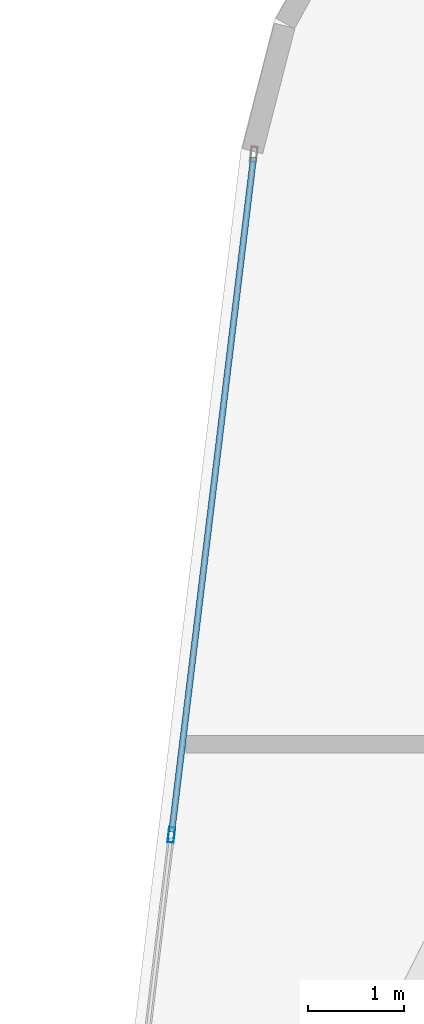
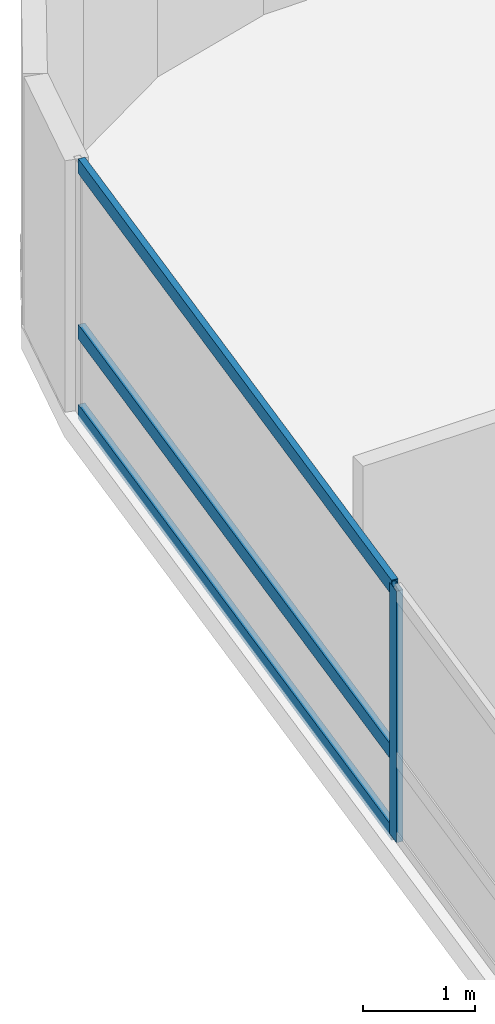
# One storey, part 10 of 26: 4 members, 1 element without a shape of its own.
"""IFC4 building model written with IfcOpenShell, lengths in metres."""

from ifc_helpers import new_model, si_unit, direction, frame, origin, origin_2d, place, context, subcontext, project, spatial, hollow_rectangle, extrude, material, layer, layer_set, material_profile, profile_set, type_object, element, aggregate, save


model = new_model("IFC4")

# Units and contexts
model_context = context("Model", 3, precision=1e-05, world=origin(), true_north=direction((0.0, 1.0)))
body_context = subcontext(model_context, "Body", "Model", "MODEL_VIEW")
ifc_project = project(units=[si_unit("LENGTHUNIT", "METRE"), si_unit("AREAUNIT", "SQUARE_METRE"), si_unit("VOLUMEUNIT", "CUBIC_METRE"), si_unit("PLANEANGLEUNIT", "RADIAN"), si_unit("MASSUNIT", "GRAM", prefix="KILO")], contexts=[model_context])

# Site, building, storey
site_placement = place(None, origin())
site = spatial("IfcSite", under=ifc_project, at=site_placement, CompositionType="ELEMENT")
building_placement = place(site_placement, origin())
building = spatial("IfcBuilding", under=site, at=building_placement, Name="Varnelok Gate Tower", CompositionType="ELEMENT")
storey_placement = place(building_placement, frame((0.0, 0.0, 125.39990234375)))
storey = spatial("IfcBuildingStorey", under=building, at=storey_placement, Name="L31", CompositionType="ELEMENT", Elevation=125.39990234375)

# Curtain wall, members
ifc_material = material(Name="Anodized Aluminum Alloy 6063-T6", Category="aluminium")
ifc_layer = layer(ifc_material, 0.179931640625)
ifc_layer_set = layer_set([ifc_layer], Name="Anodized Aluminum Alloy 6063-T6")
curtain_wall_type = type_object("IfcCurtainWallType", Name="CW3-HOTEL-VISION", PredefinedType="USERDEFINED", material=ifc_layer_set)
curtain_wall_placement = place(storey_placement, origin())
curtain_wall = element("IfcCurtainWall", 1, at=curtain_wall_placement, inside=storey, type_object=curtain_wall_type, Name="L31 West End Vision Curtain Wall", ObjectType="UNITISED CURTAIN WALL", PredefinedType="USERDEFINED")
ifc_material_profile_1 = material_profile(ifc_material, hollow_rectangle(XDim=0.06494140625, YDim=0.159912109375, WallThickness=0.00390625, at=origin_2d()), Name="ALU160X65X4")
ifc_profile_set_1 = profile_set([ifc_material_profile_1], Name="Anodized Aluminum Alloy 6063-T6")
member_type_1 = type_object("IfcMemberType", Name="CW-MULL-160", PredefinedType="MULLION", material=ifc_profile_set_1)
member_1_placement = place(storey_placement, frame((3.708984375, 40.4814453125, 0.0), z_axis=(0.0, 0.0, 1.0), x_axis=(-0.99273188146, 0.120347046212, 0.0)))
member_1 = element("IfcMember", 2, at=member_1_placement, type_object=member_type_1, Name="CW3 mullion 5", PredefinedType="MULLION", context=body_context, shape_type="SweptSolid", body=[
    extrude(hollow_rectangle(XDim=0.06494140625, YDim=0.159912109375, WallThickness=0.00390625, at=origin_2d()), origin(), (0.0, 0.0, 1.0), 2.72998046875),
])
ifc_material_profile_2 = material_profile(ifc_material, hollow_rectangle(XDim=0.06494140625, YDim=0.159912109375, WallThickness=0.00390625, at=origin_2d()), Name="ALU160X65X4")
ifc_profile_set_2 = profile_set([ifc_material_profile_2], Name="Anodized Aluminum Alloy 6063-T6")
member_type_2 = type_object("IfcMemberType", Name="CW-TRAN-160", PredefinedType="USERDEFINED", material=ifc_profile_set_2)
member_2_placement = place(storey_placement, frame((3.712890625, 40.513671875, 0.03271484375), z_axis=(0.120374481497, 0.992728555147, 0.0), x_axis=(-0.992728555147, 0.120374481497, 0.0)))
member_2 = element("IfcMember", 3, at=member_2_placement, type_object=member_type_2, Name="CW3 transom 5.1", ObjectType="TRANSOM", PredefinedType="USERDEFINED", context=body_context, shape_type="SweptSolid", body=[
    extrude(hollow_rectangle(XDim=0.06494140625, YDim=0.159912109375, WallThickness=0.00390625, at=origin_2d()), origin(), (0.0, 0.0, 1.0), 7.102783203125),
])
member_3_placement = place(storey_placement, frame((3.712890625, 40.513671875, 0.900146484375), z_axis=(0.120374481497, 0.992728555147, 0.0), x_axis=(-0.992728555147, 0.120374481497, 0.0)))
member_3 = element("IfcMember", 4, at=member_3_placement, type_object=member_type_2, Name="CW3 transom 5.2", ObjectType="TRANSOM", PredefinedType="USERDEFINED", context=body_context, shape_type="SweptSolid", body=[
    extrude(hollow_rectangle(XDim=0.06494140625, YDim=0.159912109375, WallThickness=0.00390625, at=origin_2d()), origin(), (0.0, 0.0, 1.0), 7.102783203125),
])
member_4_placement = place(storey_placement, frame((3.712890625, 40.513671875, 2.697509765625), z_axis=(0.120374481497, 0.992728555147, 0.0), x_axis=(-0.992728555147, 0.120374481497, 0.0)))
member_4 = element("IfcMember", 5, at=member_4_placement, type_object=member_type_2, Name="CW3 transom 5.3", ObjectType="TRANSOM", PredefinedType="USERDEFINED", context=body_context, shape_type="SweptSolid", body=[
    extrude(hollow_rectangle(XDim=0.06494140625, YDim=0.159912109375, WallThickness=0.00390625, at=origin_2d()), origin(), (0.0, 0.0, 1.0), 7.102783203125),
])
aggregate(curtain_wall, [member_1, member_2, member_3, member_4])

save(model, "model.ifc")
